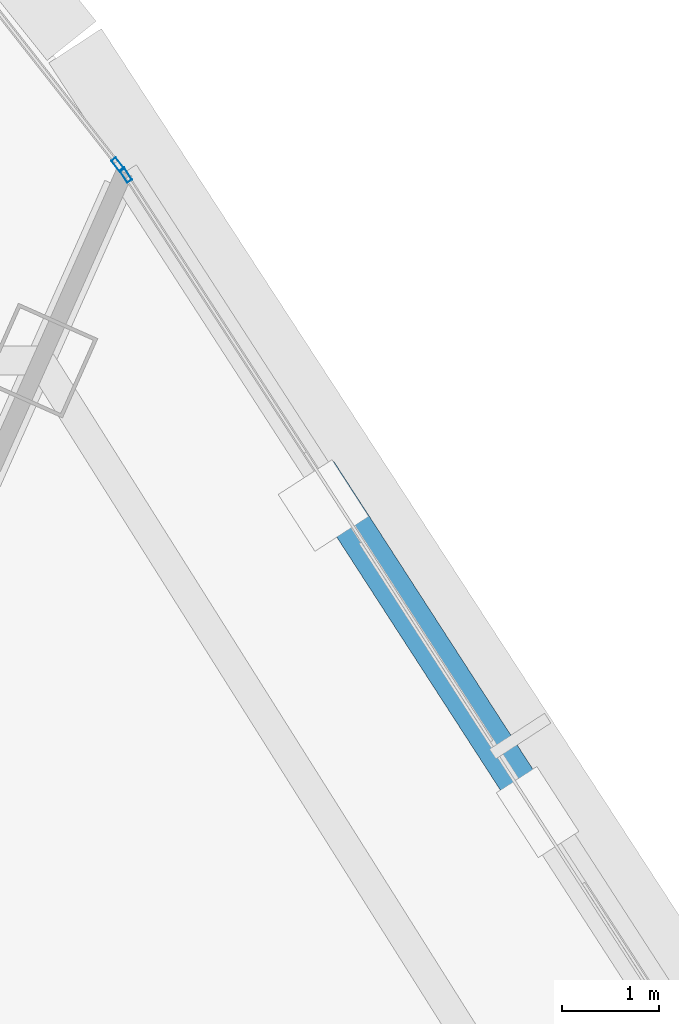
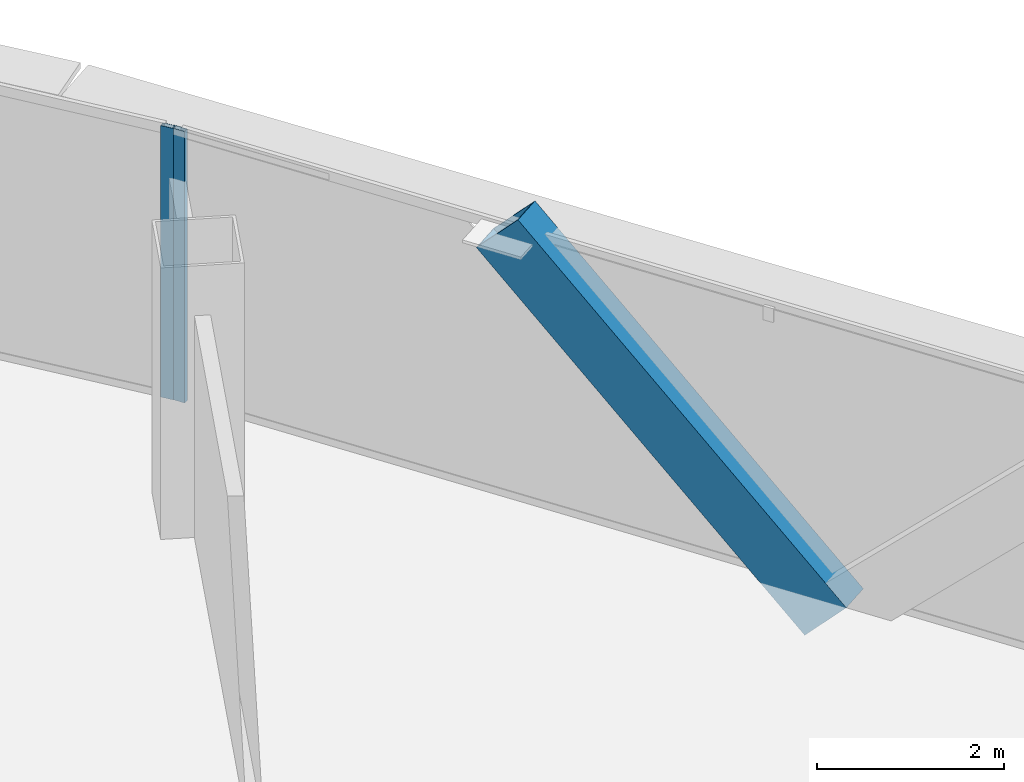
# One storey, part 22 of 37: 3 members, 2 elements without a shape of their own.
"""IFC4 building model written with IfcOpenShell, lengths in metres."""

from ifc_helpers import new_model, si_unit, direction, frame, origin, origin_2d, place, context, subcontext, project, spatial, hollow_rectangle, extrude, source, transform, mapped, material, layer, layer_set, material_profile, profile_set, type_object, element, aggregate, save


model = new_model("IFC4")

# Units and contexts
model_context = context("Model", 3, precision=1e-05, world=origin(), true_north=direction((0.0, 1.0)))
body_context = subcontext(model_context, "Body", "Model", "MODEL_VIEW")
ifc_project = project(units=[si_unit("LENGTHUNIT", "METRE"), si_unit("AREAUNIT", "SQUARE_METRE"), si_unit("VOLUMEUNIT", "CUBIC_METRE"), si_unit("PLANEANGLEUNIT", "RADIAN"), si_unit("MASSUNIT", "GRAM", prefix="KILO"), si_unit("THERMODYNAMICTEMPERATUREUNIT", "KELVIN"), si_unit("POWERUNIT", "WATT")], contexts=[model_context])

# Site, building, storey
site_placement = place(None, origin())
site = spatial("IfcSite", under=ifc_project, at=site_placement, CompositionType="ELEMENT")
building_placement = place(site_placement, origin())
building = spatial("IfcBuilding", under=site, at=building_placement, Name="Yunzhuo Pagoda Commons", CompositionType="ELEMENT")
storey_placement = place(building_placement, frame((0.0, 0.0, 199.9599609375)))
storey = spatial("IfcBuildingStorey", under=building, at=storey_placement, Name="L50", CompositionType="ELEMENT", Elevation=199.9599609375)

# Member
ifc_material_1 = material(Name="Structural steel Q355B", Category="steel")
ifc_material_profile_1 = material_profile(ifc_material_1, hollow_rectangle(XDim=0.39990234375, YDim=0.719970703125, WallThickness=0.02392578125, at=origin_2d()), Name="Structural steel Q355B")
ifc_profile_set_1 = profile_set([ifc_material_profile_1], Name="Structural steel Q355B")
member_type_1 = type_object("IfcMemberType", Name="M-DL2 Brace BOX 720x400x24", PredefinedType="BRACE", material=ifc_profile_set_1)
shared_shape_1 = source(origin(), body_context, "Body", "SweptSolid", [
    extrude(hollow_rectangle(XDim=0.39990234375, YDim=0.719970703125, WallThickness=0.02392578125, at=origin_2d()), origin(), (0.0, 0.0, 1.0), 5.474853515625),
])
member_1_placement = place(storey_placement, frame((67.844970703125, 62.041259765625, -0.260009765625), z_axis=(-0.390856056492, 0.604544844023, 0.694087224107), x_axis=(-0.839772851494, -0.542937895061, 0.0)))
element("IfcMember", 1, at=member_1_placement, inside=storey, type_object=member_type_1, Name="L50 facade diamond brace F2.3R", PredefinedType="BRACE", context=body_context, shape_type="MappedRepresentation", body=[
    mapped(shared_shape_1, transform((0.0, 0.0, 0.0), scale=1.0)),
])

# Curtain wall, member
ifc_material_2 = material(Name="Anodized aluminium 6063-T6", Category="aluminium")
ifc_layer = layer(ifc_material_2, 0.14990234375)
ifc_layer_set = layer_set([ifc_layer], Name="Anodized aluminium 6063-T6")
curtain_wall_type = type_object("IfcCurtainWallType", Name="CW-MID Mid-Zone Ribbon Curtain Wall", PredefinedType="NOTDEFINED", material=ifc_layer_set)
curtain_wall_1_placement = place(storey_placement, origin())
curtain_wall_1 = element("IfcCurtainWall", 2, at=curtain_wall_1_placement, inside=storey, type_object=curtain_wall_type, Name="L50 curtain wall CW-L50-F2B4", PredefinedType="NOTDEFINED")
ifc_material_profile_2 = material_profile(ifc_material_2, hollow_rectangle(XDim=0.06005859375, YDim=0.14990234375, WallThickness=0.00390625, at=origin_2d()), Name="Anodized aluminium 6063-T6")
ifc_profile_set_2 = profile_set([ifc_material_profile_2], Name="Anodized aluminium 6063-T6")
member_type_2 = type_object("IfcMemberType", Name="CW-MID-M Mullion RHS 150x60x4", PredefinedType="MULLION", material=ifc_profile_set_2)
shared_shape_2 = source(origin(), body_context, "Body", "SweptSolid", [
    extrude(hollow_rectangle(XDim=0.06005859375, YDim=0.14990234375, WallThickness=0.00390625, at=origin_2d()), origin(), (0.0, 0.0, 1.0), 3.5400390625),
])
member_2_placement = place(storey_placement, frame((63.581787109375, 68.635498046875, 0.0), z_axis=(0.0, 0.0, 1.0), x_axis=(-0.839794048542, -0.542905107761, 0.0)))
member_2 = element("IfcMember", 3, at=member_2_placement, type_object=member_type_2, Name="CW mullion 2", PredefinedType="MULLION", context=body_context, shape_type="MappedRepresentation", body=[
    mapped(shared_shape_2, transform((0.0, 0.0, 0.0), scale=1.0)),
])
aggregate(curtain_wall_1, [member_2])

curtain_wall_2_placement = place(storey_placement, origin())
curtain_wall_2 = element("IfcCurtainWall", 4, at=curtain_wall_2_placement, inside=storey, type_object=curtain_wall_type, Name="L50 curtain wall CW-L50-F2B5", PredefinedType="NOTDEFINED")
member_3_placement = place(storey_placement, frame((63.500732421875, 68.743408203125, 0.0), z_axis=(0.0, 0.0, 1.0), x_axis=(-0.787049910454, -0.616889324316, 0.0)))
member_3 = element("IfcMember", 5, at=member_3_placement, type_object=member_type_2, Name="CW mullion 1", PredefinedType="MULLION", context=body_context, shape_type="MappedRepresentation", body=[
    mapped(shared_shape_2, transform((0.0, 0.0, 0.0), scale=1.0)),
])
aggregate(curtain_wall_2, [member_3])

save(model, "model.ifc")
